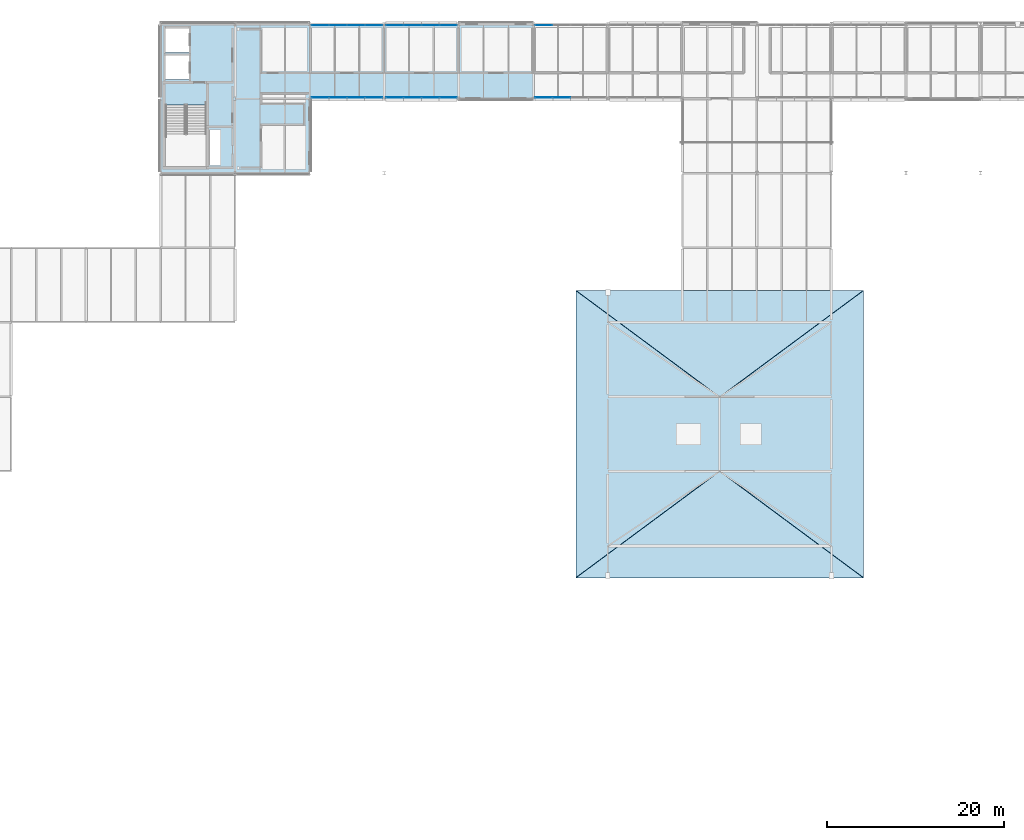
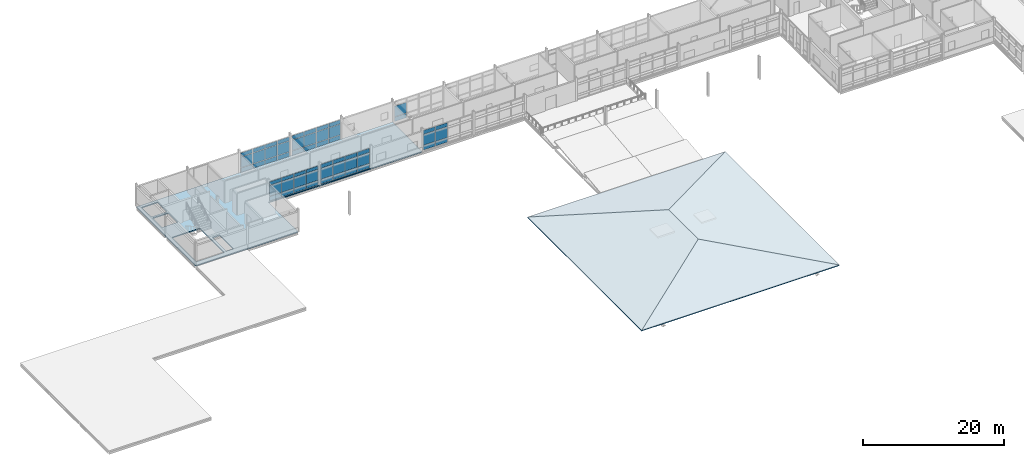
# One storey, part 45 of 66: 56 plates, 5 slabs, 7 elements without a shape of their own.
"""IFC4 building model written with IfcOpenShell, lengths in metres."""

from ifc_helpers import new_model, si_unit, direction, frame, origin, origin_2d, place, context, subcontext, project, spatial, polyline, rectangle, outline, extrude, material, layer, layer_set, type_object, element, aggregate, save


model = new_model("IFC4")

# Units and contexts
model_context = context("Model", 3, precision=1e-05, world=origin(), true_north=direction((0.0, 1.0)))
body_context = subcontext(model_context, "Body", "Model", "MODEL_VIEW")
ifc_project = project(units=[si_unit("LENGTHUNIT", "METRE"), si_unit("AREAUNIT", "SQUARE_METRE"), si_unit("VOLUMEUNIT", "CUBIC_METRE"), si_unit("PLANEANGLEUNIT", "RADIAN"), si_unit("MASSUNIT", "GRAM", prefix="KILO")], contexts=[model_context])

# Site, building, storey
site_placement = place(None, origin())
site = spatial("IfcSite", under=ifc_project, at=site_placement, CompositionType="ELEMENT")
building_placement = place(site_placement, origin())
building = spatial("IfcBuilding", under=site, at=building_placement, Name="Mersafa Astral City Hall", CompositionType="ELEMENT")
storey_placement = place(building_placement, frame((0.0, 0.0, 22.050048828125)))
storey = spatial("IfcBuildingStorey", under=building, at=storey_placement, Name="L05", CompositionType="ELEMENT", Elevation=22.050048828125)

# Curtain wall, plates
ifc_material_1 = material(Name="Anodised bronze aluminium framing", Category="aluminium")
curtain_wall_type_1 = type_object("IfcCurtainWallType", Name="ENV-CW-5", PredefinedType="USERDEFINED", material=ifc_material_1)
curtain_wall_1_placement = place(storey_placement, origin())
curtain_wall_1 = element("IfcCurtainWall", 1, at=curtain_wall_1_placement, inside=storey, type_object=curtain_wall_type_1, Name="L05 Unitised solar curtain wall 232", ObjectType="UNITISED CURTAIN WALL", PredefinedType="USERDEFINED")
ifc_material_2 = material(Name="Solar control low-e double glazing", Category="glass")
ifc_layer_1 = layer(ifc_material_2, 0.028076171875, Name="Solar control low-e double glazing")
ifc_layer_set_1 = layer_set([ifc_layer_1], Name="Solar control low-e double glazing — ENV-CW-PNL-GLZ-1")
plate_type_1 = type_object("IfcPlateType", Name="ENV-CW-PNL-GLZ-1", PredefinedType="CURTAIN_PANEL", material=ifc_layer_set_1)
plate_1_placement = place(storey_placement, frame((85.1865234375, 125.8798828125, 0.05810546875), z_axis=(0.0, 0.0, 1.0), x_axis=(-1.0, 0.0, 0.0)))
plate_1 = element("IfcPlate", 2, at=plate_1_placement, type_object=plate_type_1, Name="CW-5 panel 4.1", PredefinedType="CURTAIN_PANEL", context=body_context, shape_type="SweptSolid", body=[
    extrude(rectangle(XDim=1.928955078125, YDim=0.028076171875, at=origin_2d()), origin(), (0.0, 0.0, 1.0), 0.761962890625),
])
plate_2_placement = place(storey_placement, frame((85.1865234375, 125.8798828125, 0.8798828125), z_axis=(0.0, 0.0, 1.0), x_axis=(-1.0, 0.0, 0.0)))
plate_2 = element("IfcPlate", 3, at=plate_2_placement, type_object=plate_type_1, Name="CW-5 panel 4.2", PredefinedType="CURTAIN_PANEL", context=body_context, shape_type="SweptSolid", body=[
    extrude(rectangle(XDim=1.928955078125, YDim=0.028076171875, at=origin_2d()), origin(), (0.0, 0.0, 1.0), 1.840087890625),
])
aggregate(curtain_wall_1, [plate_1, plate_2])

curtain_wall_type_2 = type_object("IfcCurtainWallType", Name="ENV-CW-3", PredefinedType="USERDEFINED", material=ifc_material_1)
curtain_wall_2_placement = place(storey_placement, origin())
curtain_wall_2 = element("IfcCurtainWall", 4, at=curtain_wall_2_placement, inside=storey, type_object=curtain_wall_type_2, Name="L05 Unitised solar curtain wall 236", ObjectType="UNITISED CURTAIN WALL", PredefinedType="USERDEFINED")
plate_3_placement = place(storey_placement, frame((68.386474609375, 117.719970703125, 0.05810546875), z_axis=(0.0, 0.0, 1.0), x_axis=(1.0, 0.0, 0.0)))
plate_3 = element("IfcPlate", 5, at=plate_3_placement, type_object=plate_type_1, Name="CW-3 panel 1.1", PredefinedType="CURTAIN_PANEL", context=body_context, shape_type="SweptSolid", body=[
    extrude(rectangle(XDim=1.928955078125, YDim=0.028076171875, at=origin_2d()), origin(), (0.0, 0.0, 1.0), 0.761962890625),
])
plate_4_placement = place(storey_placement, frame((68.386474609375, 117.719970703125, 0.8798828125), z_axis=(0.0, 0.0, 1.0), x_axis=(1.0, 0.0, 0.0)))
plate_4 = element("IfcPlate", 6, at=plate_4_placement, type_object=plate_type_1, Name="CW-3 panel 1.2", PredefinedType="CURTAIN_PANEL", context=body_context, shape_type="SweptSolid", body=[
    extrude(rectangle(XDim=1.928955078125, YDim=0.028076171875, at=origin_2d()), origin(), (0.0, 0.0, 1.0), 1.840087890625),
])
plate_5_placement = place(storey_placement, frame((68.386474609375, 117.719970703125, 2.77978515625), z_axis=(0.0, 0.0, 1.0), x_axis=(1.0, 0.0, 0.0)))
plate_5 = element("IfcPlate", 7, at=plate_5_placement, type_object=plate_type_1, Name="CW-3 panel 1.3", PredefinedType="CURTAIN_PANEL", context=body_context, shape_type="SweptSolid", body=[
    extrude(rectangle(XDim=1.928955078125, YDim=0.028076171875, at=origin_2d()), origin(), (0.0, 0.0, 1.0), 0.672119140625),
])
plate_6_placement = place(storey_placement, frame((70.390380859375, 117.719970703125, 0.05810546875), z_axis=(0.0, 0.0, 1.0), x_axis=(1.0, 0.0, 0.0)))
plate_6 = element("IfcPlate", 8, at=plate_6_placement, type_object=plate_type_1, Name="CW-3 panel 2.1", PredefinedType="CURTAIN_PANEL", context=body_context, shape_type="SweptSolid", body=[
    extrude(rectangle(XDim=1.958984375, YDim=0.028076171875, at=origin_2d()), origin(), (0.0, 0.0, 1.0), 0.761962890625),
])
plate_7_placement = place(storey_placement, frame((70.390380859375, 117.719970703125, 0.8798828125), z_axis=(0.0, 0.0, 1.0), x_axis=(1.0, 0.0, 0.0)))
plate_7 = element("IfcPlate", 9, at=plate_7_placement, type_object=plate_type_1, Name="CW-3 panel 2.2", PredefinedType="CURTAIN_PANEL", context=body_context, shape_type="SweptSolid", body=[
    extrude(rectangle(XDim=1.958984375, YDim=0.028076171875, at=origin_2d()), origin(), (0.0, 0.0, 1.0), 1.840087890625),
])
plate_8_placement = place(storey_placement, frame((70.390380859375, 117.719970703125, 2.77978515625), z_axis=(0.0, 0.0, 1.0), x_axis=(1.0, 0.0, 0.0)))
plate_8 = element("IfcPlate", 10, at=plate_8_placement, type_object=plate_type_1, Name="CW-3 panel 2.3", PredefinedType="CURTAIN_PANEL", context=body_context, shape_type="SweptSolid", body=[
    extrude(rectangle(XDim=1.958984375, YDim=0.028076171875, at=origin_2d()), origin(), (0.0, 0.0, 1.0), 0.672119140625),
])
plate_9_placement = place(storey_placement, frame((72.409423828125, 117.719970703125, 0.05810546875), z_axis=(0.0, 0.0, 1.0), x_axis=(1.0, 0.0, 0.0)))
plate_9 = element("IfcPlate", 11, at=plate_9_placement, type_object=plate_type_1, Name="CW-3 panel 3.1", PredefinedType="CURTAIN_PANEL", context=body_context, shape_type="SweptSolid", body=[
    extrude(rectangle(XDim=1.958984375, YDim=0.028076171875, at=origin_2d()), origin(), (0.0, 0.0, 1.0), 0.761962890625),
])
plate_10_placement = place(storey_placement, frame((72.409423828125, 117.719970703125, 0.8798828125), z_axis=(0.0, 0.0, 1.0), x_axis=(1.0, 0.0, 0.0)))
plate_10 = element("IfcPlate", 12, at=plate_10_placement, type_object=plate_type_1, Name="CW-3 panel 3.2", PredefinedType="CURTAIN_PANEL", context=body_context, shape_type="SweptSolid", body=[
    extrude(rectangle(XDim=1.958984375, YDim=0.028076171875, at=origin_2d()), origin(), (0.0, 0.0, 1.0), 1.840087890625),
])
plate_11_placement = place(storey_placement, frame((72.409423828125, 117.719970703125, 2.77978515625), z_axis=(0.0, 0.0, 1.0), x_axis=(1.0, 0.0, 0.0)))
plate_11 = element("IfcPlate", 13, at=plate_11_placement, type_object=plate_type_1, Name="CW-3 panel 3.3", PredefinedType="CURTAIN_PANEL", context=body_context, shape_type="SweptSolid", body=[
    extrude(rectangle(XDim=1.958984375, YDim=0.028076171875, at=origin_2d()), origin(), (0.0, 0.0, 1.0), 0.672119140625),
])
plate_12_placement = place(storey_placement, frame((74.41357421875, 117.719970703125, 0.05810546875), z_axis=(0.0, 0.0, 1.0), x_axis=(1.0, 0.0, 0.0)))
plate_12 = element("IfcPlate", 14, at=plate_12_placement, type_object=plate_type_1, Name="CW-3 panel 4.1", PredefinedType="CURTAIN_PANEL", context=body_context, shape_type="SweptSolid", body=[
    extrude(rectangle(XDim=1.928955078125, YDim=0.028076171875, at=origin_2d()), origin(), (0.0, 0.0, 1.0), 0.761962890625),
])
plate_13_placement = place(storey_placement, frame((74.41357421875, 117.719970703125, 0.8798828125), z_axis=(0.0, 0.0, 1.0), x_axis=(1.0, 0.0, 0.0)))
plate_13 = element("IfcPlate", 15, at=plate_13_placement, type_object=plate_type_1, Name="CW-3 panel 4.2", PredefinedType="CURTAIN_PANEL", context=body_context, shape_type="SweptSolid", body=[
    extrude(rectangle(XDim=1.928955078125, YDim=0.028076171875, at=origin_2d()), origin(), (0.0, 0.0, 1.0), 1.840087890625),
])
plate_14_placement = place(storey_placement, frame((74.41357421875, 117.719970703125, 2.77978515625), z_axis=(0.0, 0.0, 1.0), x_axis=(1.0, 0.0, 0.0)))
plate_14 = element("IfcPlate", 16, at=plate_14_placement, type_object=plate_type_1, Name="CW-3 panel 4.3", PredefinedType="CURTAIN_PANEL", context=body_context, shape_type="SweptSolid", body=[
    extrude(rectangle(XDim=1.928955078125, YDim=0.028076171875, at=origin_2d()), origin(), (0.0, 0.0, 1.0), 0.672119140625),
])
aggregate(curtain_wall_2, [plate_3, plate_4, plate_5, plate_6, plate_7, plate_8, plate_9, plate_10, plate_11, plate_12, plate_13, plate_14])

curtain_wall_type_3 = type_object("IfcCurtainWallType", Name="ENV-CW-6", PredefinedType="USERDEFINED", material=ifc_material_1)
curtain_wall_3_placement = place(storey_placement, origin())
curtain_wall_3 = element("IfcCurtainWall", 17, at=curtain_wall_3_placement, inside=storey, type_object=curtain_wall_type_3, Name="L05 Unitised solar curtain wall 233", ObjectType="UNITISED CURTAIN WALL", PredefinedType="USERDEFINED")
ifc_layer_2 = layer(ifc_material_2, 0.031982421875, Name="Solar control low-e double glazing")
ifc_layer_set_2 = layer_set([ifc_layer_2], Name="Solar control low-e double glazing — ENV-CW-PNL-GLZ-2")
plate_type_2 = type_object("IfcPlateType", Name="ENV-CW-PNL-GLZ-2", PredefinedType="CURTAIN_PANEL", material=ifc_layer_set_2)
plate_15_placement = place(storey_placement, frame((74.41357421875, 125.8798828125, 0.05810546875), z_axis=(0.0, 0.0, 1.0), x_axis=(-1.0, 0.0, 0.0)))
plate_15 = element("IfcPlate", 18, at=plate_15_placement, type_object=plate_type_2, Name="CW-6 panel 1.1", PredefinedType="CURTAIN_PANEL", context=body_context, shape_type="SweptSolid", body=[
    extrude(rectangle(XDim=1.928955078125, YDim=0.031982421875, at=origin_2d()), origin(), (0.0, 0.0, 1.0), 0.761962890625),
])
plate_16_placement = place(storey_placement, frame((74.41357421875, 125.8798828125, 0.8798828125), z_axis=(0.0, 0.0, 1.0), x_axis=(-1.0, 0.0, 0.0)))
plate_16 = element("IfcPlate", 19, at=plate_16_placement, type_object=plate_type_2, Name="CW-6 panel 1.2", PredefinedType="CURTAIN_PANEL", context=body_context, shape_type="SweptSolid", body=[
    extrude(rectangle(XDim=1.928955078125, YDim=0.031982421875, at=origin_2d()), origin(), (0.0, 0.0, 1.0), 1.840087890625),
])
plate_17_placement = place(storey_placement, frame((74.41357421875, 125.8798828125, 2.77978515625), z_axis=(0.0, 0.0, 1.0), x_axis=(-1.0, 0.0, 0.0)))
plate_17 = element("IfcPlate", 20, at=plate_17_placement, type_object=plate_type_2, Name="CW-6 panel 1.3", PredefinedType="CURTAIN_PANEL", context=body_context, shape_type="SweptSolid", body=[
    extrude(rectangle(XDim=1.928955078125, YDim=0.031982421875, at=origin_2d()), origin(), (0.0, 0.0, 1.0), 0.701904296875),
])
plate_18_placement = place(storey_placement, frame((72.409423828125, 125.8798828125, 0.05810546875), z_axis=(0.0, 0.0, 1.0), x_axis=(-1.0, 0.0, 0.0)))
plate_18 = element("IfcPlate", 21, at=plate_18_placement, type_object=plate_type_2, Name="CW-6 panel 2.1", PredefinedType="CURTAIN_PANEL", context=body_context, shape_type="SweptSolid", body=[
    extrude(rectangle(XDim=1.958984375, YDim=0.031982421875, at=origin_2d()), origin(), (0.0, 0.0, 1.0), 0.761962890625),
])
plate_19_placement = place(storey_placement, frame((72.409423828125, 125.8798828125, 0.8798828125), z_axis=(0.0, 0.0, 1.0), x_axis=(-1.0, 0.0, 0.0)))
plate_19 = element("IfcPlate", 22, at=plate_19_placement, type_object=plate_type_2, Name="CW-6 panel 2.2", PredefinedType="CURTAIN_PANEL", context=body_context, shape_type="SweptSolid", body=[
    extrude(rectangle(XDim=1.958984375, YDim=0.031982421875, at=origin_2d()), origin(), (0.0, 0.0, 1.0), 1.840087890625),
])
plate_20_placement = place(storey_placement, frame((72.409423828125, 125.8798828125, 2.77978515625), z_axis=(0.0, 0.0, 1.0), x_axis=(-1.0, 0.0, 0.0)))
plate_20 = element("IfcPlate", 23, at=plate_20_placement, type_object=plate_type_2, Name="CW-6 panel 2.3", PredefinedType="CURTAIN_PANEL", context=body_context, shape_type="SweptSolid", body=[
    extrude(rectangle(XDim=1.958984375, YDim=0.031982421875, at=origin_2d()), origin(), (0.0, 0.0, 1.0), 0.701904296875),
])
plate_21_placement = place(storey_placement, frame((70.390380859375, 125.8798828125, 0.05810546875), z_axis=(0.0, 0.0, 1.0), x_axis=(-1.0, 0.0, 0.0)))
plate_21 = element("IfcPlate", 24, at=plate_21_placement, type_object=plate_type_2, Name="CW-6 panel 3.1", PredefinedType="CURTAIN_PANEL", context=body_context, shape_type="SweptSolid", body=[
    extrude(rectangle(XDim=1.958984375, YDim=0.031982421875, at=origin_2d()), origin(), (0.0, 0.0, 1.0), 0.761962890625),
])
plate_22_placement = place(storey_placement, frame((70.390380859375, 125.8798828125, 0.8798828125), z_axis=(0.0, 0.0, 1.0), x_axis=(-1.0, 0.0, 0.0)))
plate_22 = element("IfcPlate", 25, at=plate_22_placement, type_object=plate_type_2, Name="CW-6 panel 3.2", PredefinedType="CURTAIN_PANEL", context=body_context, shape_type="SweptSolid", body=[
    extrude(rectangle(XDim=1.958984375, YDim=0.031982421875, at=origin_2d()), origin(), (0.0, 0.0, 1.0), 1.840087890625),
])
plate_23_placement = place(storey_placement, frame((70.390380859375, 125.8798828125, 2.77978515625), z_axis=(0.0, 0.0, 1.0), x_axis=(-1.0, 0.0, 0.0)))
plate_23 = element("IfcPlate", 26, at=plate_23_placement, type_object=plate_type_2, Name="CW-6 panel 3.3", PredefinedType="CURTAIN_PANEL", context=body_context, shape_type="SweptSolid", body=[
    extrude(rectangle(XDim=1.958984375, YDim=0.031982421875, at=origin_2d()), origin(), (0.0, 0.0, 1.0), 0.701904296875),
])
plate_24_placement = place(storey_placement, frame((68.386474609375, 125.8798828125, 0.05810546875), z_axis=(0.0, 0.0, 1.0), x_axis=(-1.0, 0.0, 0.0)))
plate_24 = element("IfcPlate", 27, at=plate_24_placement, type_object=plate_type_2, Name="CW-6 panel 4.1", PredefinedType="CURTAIN_PANEL", context=body_context, shape_type="SweptSolid", body=[
    extrude(rectangle(XDim=1.928955078125, YDim=0.031982421875, at=origin_2d()), origin(), (0.0, 0.0, 1.0), 0.761962890625),
])
plate_25_placement = place(storey_placement, frame((68.386474609375, 125.8798828125, 0.8798828125), z_axis=(0.0, 0.0, 1.0), x_axis=(-1.0, 0.0, 0.0)))
plate_25 = element("IfcPlate", 28, at=plate_25_placement, type_object=plate_type_2, Name="CW-6 panel 4.2", PredefinedType="CURTAIN_PANEL", context=body_context, shape_type="SweptSolid", body=[
    extrude(rectangle(XDim=1.928955078125, YDim=0.031982421875, at=origin_2d()), origin(), (0.0, 0.0, 1.0), 1.840087890625),
])
plate_26_placement = place(storey_placement, frame((68.386474609375, 125.8798828125, 2.77978515625), z_axis=(0.0, 0.0, 1.0), x_axis=(-1.0, 0.0, 0.0)))
plate_26 = element("IfcPlate", 29, at=plate_26_placement, type_object=plate_type_2, Name="CW-6 panel 4.3", PredefinedType="CURTAIN_PANEL", context=body_context, shape_type="SweptSolid", body=[
    extrude(rectangle(XDim=1.928955078125, YDim=0.031982421875, at=origin_2d()), origin(), (0.0, 0.0, 1.0), 0.701904296875),
])
aggregate(curtain_wall_3, [plate_15, plate_16, plate_17, plate_18, plate_19, plate_20, plate_21, plate_22, plate_23, plate_24, plate_25, plate_26])

curtain_wall_type_4 = type_object("IfcCurtainWallType", Name="ENV-CW-4", PredefinedType="USERDEFINED", material=ifc_material_1)
curtain_wall_4_placement = place(storey_placement, origin())
curtain_wall_4 = element("IfcCurtainWall", 30, at=curtain_wall_4_placement, inside=storey, type_object=curtain_wall_type_4, Name="L05 Unitised solar curtain wall 237", ObjectType="UNITISED CURTAIN WALL", PredefinedType="USERDEFINED")
plate_27_placement = place(storey_placement, frame((85.1865234375, 117.719970703125, 0.05810546875), z_axis=(0.0, 0.0, 1.0), x_axis=(1.0, 0.0, 0.0)))
plate_27 = element("IfcPlate", 31, at=plate_27_placement, type_object=plate_type_2, Name="CW-4 panel 1.1", PredefinedType="CURTAIN_PANEL", context=body_context, shape_type="SweptSolid", body=[
    extrude(rectangle(XDim=1.928955078125, YDim=0.031982421875, at=origin_2d()), origin(), (0.0, 0.0, 1.0), 0.761962890625),
])
plate_28_placement = place(storey_placement, frame((85.1865234375, 117.719970703125, 0.8798828125), z_axis=(0.0, 0.0, 1.0), x_axis=(1.0, 0.0, 0.0)))
plate_28 = element("IfcPlate", 32, at=plate_28_placement, type_object=plate_type_2, Name="CW-4 panel 1.2", PredefinedType="CURTAIN_PANEL", context=body_context, shape_type="SweptSolid", body=[
    extrude(rectangle(XDim=1.928955078125, YDim=0.031982421875, at=origin_2d()), origin(), (0.0, 0.0, 1.0), 1.840087890625),
])
plate_29_placement = place(storey_placement, frame((85.1865234375, 117.719970703125, 2.77978515625), z_axis=(0.0, 0.0, 1.0), x_axis=(1.0, 0.0, 0.0)))
plate_29 = element("IfcPlate", 33, at=plate_29_placement, type_object=plate_type_2, Name="CW-4 panel 1.3", PredefinedType="CURTAIN_PANEL", context=body_context, shape_type="SweptSolid", body=[
    extrude(rectangle(XDim=1.928955078125, YDim=0.031982421875, at=origin_2d()), origin(), (0.0, 0.0, 1.0), 0.672119140625),
])
plate_30_placement = place(storey_placement, frame((87.1904296875, 117.719970703125, 0.05810546875), z_axis=(0.0, 0.0, 1.0), x_axis=(1.0, 0.0, 0.0)))
plate_30 = element("IfcPlate", 34, at=plate_30_placement, type_object=plate_type_2, Name="CW-4 panel 2.1", PredefinedType="CURTAIN_PANEL", context=body_context, shape_type="SweptSolid", body=[
    extrude(rectangle(XDim=1.958984375, YDim=0.031982421875, at=origin_2d()), origin(), (0.0, 0.0, 1.0), 0.761962890625),
])
plate_31_placement = place(storey_placement, frame((87.1904296875, 117.719970703125, 0.8798828125), z_axis=(0.0, 0.0, 1.0), x_axis=(1.0, 0.0, 0.0)))
plate_31 = element("IfcPlate", 35, at=plate_31_placement, type_object=plate_type_2, Name="CW-4 panel 2.2", PredefinedType="CURTAIN_PANEL", context=body_context, shape_type="SweptSolid", body=[
    extrude(rectangle(XDim=1.958984375, YDim=0.031982421875, at=origin_2d()), origin(), (0.0, 0.0, 1.0), 1.840087890625),
])
plate_32_placement = place(storey_placement, frame((87.1904296875, 117.719970703125, 2.77978515625), z_axis=(0.0, 0.0, 1.0), x_axis=(1.0, 0.0, 0.0)))
plate_32 = element("IfcPlate", 36, at=plate_32_placement, type_object=plate_type_2, Name="CW-4 panel 2.3", PredefinedType="CURTAIN_PANEL", context=body_context, shape_type="SweptSolid", body=[
    extrude(rectangle(XDim=1.958984375, YDim=0.031982421875, at=origin_2d()), origin(), (0.0, 0.0, 1.0), 0.672119140625),
])
aggregate(curtain_wall_4, [plate_27, plate_28, plate_29, plate_30, plate_31, plate_32])

curtain_wall_type_5 = type_object("IfcCurtainWallType", Name="ENV-CW-1", PredefinedType="USERDEFINED", material=ifc_material_1)
curtain_wall_5_placement = place(storey_placement, origin())
curtain_wall_5 = element("IfcCurtainWall", 37, at=curtain_wall_5_placement, inside=storey, type_object=curtain_wall_type_5, Name="L05 Unitised solar curtain wall 234", ObjectType="UNITISED CURTAIN WALL", PredefinedType="USERDEFINED")
ifc_layer_3 = layer(ifc_material_2, 0.035888671875, Name="Solar control low-e double glazing")
ifc_layer_set_3 = layer_set([ifc_layer_3], Name="Solar control low-e double glazing — ENV-CW-PNL-GLZ-3")
plate_type_3 = type_object("IfcPlateType", Name="ENV-CW-PNL-GLZ-3", PredefinedType="CURTAIN_PANEL", material=ifc_layer_set_3)
plate_33_placement = place(storey_placement, frame((66.013427734375, 125.8798828125, 0.05810546875), z_axis=(0.0, 0.0, 1.0), x_axis=(-1.0, 0.0, 0.0)))
plate_33 = element("IfcPlate", 38, at=plate_33_placement, type_object=plate_type_3, Name="CW-1 panel 1.1", PredefinedType="CURTAIN_PANEL", context=body_context, shape_type="SweptSolid", body=[
    extrude(rectangle(XDim=1.928955078125, YDim=0.035888671875, at=origin_2d()), origin(), (0.0, 0.0, 1.0), 0.761962890625),
])
plate_34_placement = place(storey_placement, frame((66.013427734375, 125.8798828125, 0.8798828125), z_axis=(0.0, 0.0, 1.0), x_axis=(-1.0, 0.0, 0.0)))
plate_34 = element("IfcPlate", 39, at=plate_34_placement, type_object=plate_type_3, Name="CW-1 panel 1.2", PredefinedType="CURTAIN_PANEL", context=body_context, shape_type="SweptSolid", body=[
    extrude(rectangle(XDim=1.928955078125, YDim=0.035888671875, at=origin_2d()), origin(), (0.0, 0.0, 1.0), 1.840087890625),
])
plate_35_placement = place(storey_placement, frame((66.013427734375, 125.8798828125, 2.77978515625), z_axis=(0.0, 0.0, 1.0), x_axis=(-1.0, 0.0, 0.0)))
plate_35 = element("IfcPlate", 40, at=plate_35_placement, type_object=plate_type_3, Name="CW-1 panel 1.3", PredefinedType="CURTAIN_PANEL", context=body_context, shape_type="SweptSolid", body=[
    extrude(rectangle(XDim=1.928955078125, YDim=0.035888671875, at=origin_2d()), origin(), (0.0, 0.0, 1.0), 0.672119140625),
])
plate_36_placement = place(storey_placement, frame((64.009521484375, 125.8798828125, 0.05810546875), z_axis=(0.0, 0.0, 1.0), x_axis=(-1.0, 0.0, 0.0)))
plate_36 = element("IfcPlate", 41, at=plate_36_placement, type_object=plate_type_3, Name="CW-1 panel 2.1", PredefinedType="CURTAIN_PANEL", context=body_context, shape_type="SweptSolid", body=[
    extrude(rectangle(XDim=1.958984375, YDim=0.035888671875, at=origin_2d()), origin(), (0.0, 0.0, 1.0), 0.761962890625),
])
plate_37_placement = place(storey_placement, frame((64.009521484375, 125.8798828125, 0.8798828125), z_axis=(0.0, 0.0, 1.0), x_axis=(-1.0, 0.0, 0.0)))
plate_37 = element("IfcPlate", 42, at=plate_37_placement, type_object=plate_type_3, Name="CW-1 panel 2.2", PredefinedType="CURTAIN_PANEL", context=body_context, shape_type="SweptSolid", body=[
    extrude(rectangle(XDim=1.958984375, YDim=0.035888671875, at=origin_2d()), origin(), (0.0, 0.0, 1.0), 1.840087890625),
])
plate_38_placement = place(storey_placement, frame((64.009521484375, 125.8798828125, 2.77978515625), z_axis=(0.0, 0.0, 1.0), x_axis=(-1.0, 0.0, 0.0)))
plate_38 = element("IfcPlate", 43, at=plate_38_placement, type_object=plate_type_3, Name="CW-1 panel 2.3", PredefinedType="CURTAIN_PANEL", context=body_context, shape_type="SweptSolid", body=[
    extrude(rectangle(XDim=1.958984375, YDim=0.035888671875, at=origin_2d()), origin(), (0.0, 0.0, 1.0), 0.672119140625),
])
plate_39_placement = place(storey_placement, frame((61.990478515625, 125.8798828125, 0.05810546875), z_axis=(0.0, 0.0, 1.0), x_axis=(-1.0, 0.0, 0.0)))
plate_39 = element("IfcPlate", 44, at=plate_39_placement, type_object=plate_type_3, Name="CW-1 panel 3.1", PredefinedType="CURTAIN_PANEL", context=body_context, shape_type="SweptSolid", body=[
    extrude(rectangle(XDim=1.958984375, YDim=0.035888671875, at=origin_2d()), origin(), (0.0, 0.0, 1.0), 0.761962890625),
])
plate_40_placement = place(storey_placement, frame((61.990478515625, 125.8798828125, 0.8798828125), z_axis=(0.0, 0.0, 1.0), x_axis=(-1.0, 0.0, 0.0)))
plate_40 = element("IfcPlate", 45, at=plate_40_placement, type_object=plate_type_3, Name="CW-1 panel 3.2", PredefinedType="CURTAIN_PANEL", context=body_context, shape_type="SweptSolid", body=[
    extrude(rectangle(XDim=1.958984375, YDim=0.035888671875, at=origin_2d()), origin(), (0.0, 0.0, 1.0), 1.840087890625),
])
plate_41_placement = place(storey_placement, frame((61.990478515625, 125.8798828125, 2.77978515625), z_axis=(0.0, 0.0, 1.0), x_axis=(-1.0, 0.0, 0.0)))
plate_41 = element("IfcPlate", 46, at=plate_41_placement, type_object=plate_type_3, Name="CW-1 panel 3.3", PredefinedType="CURTAIN_PANEL", context=body_context, shape_type="SweptSolid", body=[
    extrude(rectangle(XDim=1.958984375, YDim=0.035888671875, at=origin_2d()), origin(), (0.0, 0.0, 1.0), 0.672119140625),
])
plate_42_placement = place(storey_placement, frame((59.986572265625, 125.8798828125, 0.05810546875), z_axis=(0.0, 0.0, 1.0), x_axis=(-1.0, 0.0, 0.0)))
plate_42 = element("IfcPlate", 47, at=plate_42_placement, type_object=plate_type_3, Name="CW-1 panel 4.1", PredefinedType="CURTAIN_PANEL", context=body_context, shape_type="SweptSolid", body=[
    extrude(rectangle(XDim=1.928955078125, YDim=0.035888671875, at=origin_2d()), origin(), (0.0, 0.0, 1.0), 0.761962890625),
])
plate_43_placement = place(storey_placement, frame((59.986572265625, 125.8798828125, 0.8798828125), z_axis=(0.0, 0.0, 1.0), x_axis=(-1.0, 0.0, 0.0)))
plate_43 = element("IfcPlate", 48, at=plate_43_placement, type_object=plate_type_3, Name="CW-1 panel 4.2", PredefinedType="CURTAIN_PANEL", context=body_context, shape_type="SweptSolid", body=[
    extrude(rectangle(XDim=1.928955078125, YDim=0.035888671875, at=origin_2d()), origin(), (0.0, 0.0, 1.0), 1.840087890625),
])
plate_44_placement = place(storey_placement, frame((59.986572265625, 125.8798828125, 2.77978515625), z_axis=(0.0, 0.0, 1.0), x_axis=(-1.0, 0.0, 0.0)))
plate_44 = element("IfcPlate", 49, at=plate_44_placement, type_object=plate_type_3, Name="CW-1 panel 4.3", PredefinedType="CURTAIN_PANEL", context=body_context, shape_type="SweptSolid", body=[
    extrude(rectangle(XDim=1.928955078125, YDim=0.035888671875, at=origin_2d()), origin(), (0.0, 0.0, 1.0), 0.672119140625),
])
aggregate(curtain_wall_5, [plate_33, plate_34, plate_35, plate_36, plate_37, plate_38, plate_39, plate_40, plate_41, plate_42, plate_43, plate_44])

curtain_wall_type_6 = type_object("IfcCurtainWallType", Name="ENV-CW-2", PredefinedType="USERDEFINED", material=ifc_material_1)
curtain_wall_6_placement = place(storey_placement, origin())
curtain_wall_6 = element("IfcCurtainWall", 50, at=curtain_wall_6_placement, inside=storey, type_object=curtain_wall_type_6, Name="L05 Unitised solar curtain wall 235", ObjectType="UNITISED CURTAIN WALL", PredefinedType="USERDEFINED")
ifc_layer_4 = layer(ifc_material_2, 0.0400390625, Name="Solar control low-e double glazing")
ifc_layer_set_4 = layer_set([ifc_layer_4], Name="Solar control low-e double glazing — ENV-CW-PNL-GLZ-4")
plate_type_4 = type_object("IfcPlateType", Name="ENV-CW-PNL-GLZ-4", PredefinedType="CURTAIN_PANEL", material=ifc_layer_set_4)
plate_45_placement = place(storey_placement, frame((59.986572265625, 117.719970703125, 0.05810546875), z_axis=(0.0, 0.0, 1.0), x_axis=(1.0, 0.0, 0.0)))
plate_45 = element("IfcPlate", 51, at=plate_45_placement, type_object=plate_type_4, Name="CW-2 panel 1.1", PredefinedType="CURTAIN_PANEL", context=body_context, shape_type="SweptSolid", body=[
    extrude(rectangle(XDim=1.928955078125, YDim=0.0400390625, at=origin_2d()), origin(), (0.0, 0.0, 1.0), 0.761962890625),
])
plate_46_placement = place(storey_placement, frame((59.986572265625, 117.719970703125, 0.8798828125), z_axis=(0.0, 0.0, 1.0), x_axis=(1.0, 0.0, 0.0)))
plate_46 = element("IfcPlate", 52, at=plate_46_placement, type_object=plate_type_4, Name="CW-2 panel 1.2", PredefinedType="CURTAIN_PANEL", context=body_context, shape_type="SweptSolid", body=[
    extrude(rectangle(XDim=1.928955078125, YDim=0.0400390625, at=origin_2d()), origin(), (0.0, 0.0, 1.0), 1.840087890625),
])
plate_47_placement = place(storey_placement, frame((59.986572265625, 117.719970703125, 2.77978515625), z_axis=(0.0, 0.0, 1.0), x_axis=(1.0, 0.0, 0.0)))
plate_47 = element("IfcPlate", 53, at=plate_47_placement, type_object=plate_type_4, Name="CW-2 panel 1.3", PredefinedType="CURTAIN_PANEL", context=body_context, shape_type="SweptSolid", body=[
    extrude(rectangle(XDim=1.928955078125, YDim=0.0400390625, at=origin_2d()), origin(), (0.0, 0.0, 1.0), 0.592041015625),
])
plate_48_placement = place(storey_placement, frame((61.990478515625, 117.719970703125, 0.05810546875), z_axis=(0.0, 0.0, 1.0), x_axis=(1.0, 0.0, 0.0)))
plate_48 = element("IfcPlate", 54, at=plate_48_placement, type_object=plate_type_4, Name="CW-2 panel 2.1", PredefinedType="CURTAIN_PANEL", context=body_context, shape_type="SweptSolid", body=[
    extrude(rectangle(XDim=1.958984375, YDim=0.0400390625, at=origin_2d()), origin(), (0.0, 0.0, 1.0), 0.761962890625),
])
plate_49_placement = place(storey_placement, frame((61.990478515625, 117.719970703125, 0.8798828125), z_axis=(0.0, 0.0, 1.0), x_axis=(1.0, 0.0, 0.0)))
plate_49 = element("IfcPlate", 55, at=plate_49_placement, type_object=plate_type_4, Name="CW-2 panel 2.2", PredefinedType="CURTAIN_PANEL", context=body_context, shape_type="SweptSolid", body=[
    extrude(rectangle(XDim=1.958984375, YDim=0.0400390625, at=origin_2d()), origin(), (0.0, 0.0, 1.0), 1.840087890625),
])
plate_50_placement = place(storey_placement, frame((61.990478515625, 117.719970703125, 2.77978515625), z_axis=(0.0, 0.0, 1.0), x_axis=(1.0, 0.0, 0.0)))
plate_50 = element("IfcPlate", 56, at=plate_50_placement, type_object=plate_type_4, Name="CW-2 panel 2.3", PredefinedType="CURTAIN_PANEL", context=body_context, shape_type="SweptSolid", body=[
    extrude(rectangle(XDim=1.958984375, YDim=0.0400390625, at=origin_2d()), origin(), (0.0, 0.0, 1.0), 0.592041015625),
])
plate_51_placement = place(storey_placement, frame((64.009521484375, 117.719970703125, 0.05810546875), z_axis=(0.0, 0.0, 1.0), x_axis=(1.0, 0.0, 0.0)))
plate_51 = element("IfcPlate", 57, at=plate_51_placement, type_object=plate_type_4, Name="CW-2 panel 3.1", PredefinedType="CURTAIN_PANEL", context=body_context, shape_type="SweptSolid", body=[
    extrude(rectangle(XDim=1.958984375, YDim=0.0400390625, at=origin_2d()), origin(), (0.0, 0.0, 1.0), 0.761962890625),
])
plate_52_placement = place(storey_placement, frame((64.009521484375, 117.719970703125, 0.8798828125), z_axis=(0.0, 0.0, 1.0), x_axis=(1.0, 0.0, 0.0)))
plate_52 = element("IfcPlate", 58, at=plate_52_placement, type_object=plate_type_4, Name="CW-2 panel 3.2", PredefinedType="CURTAIN_PANEL", context=body_context, shape_type="SweptSolid", body=[
    extrude(rectangle(XDim=1.958984375, YDim=0.0400390625, at=origin_2d()), origin(), (0.0, 0.0, 1.0), 1.840087890625),
])
plate_53_placement = place(storey_placement, frame((64.009521484375, 117.719970703125, 2.77978515625), z_axis=(0.0, 0.0, 1.0), x_axis=(1.0, 0.0, 0.0)))
plate_53 = element("IfcPlate", 59, at=plate_53_placement, type_object=plate_type_4, Name="CW-2 panel 3.3", PredefinedType="CURTAIN_PANEL", context=body_context, shape_type="SweptSolid", body=[
    extrude(rectangle(XDim=1.958984375, YDim=0.0400390625, at=origin_2d()), origin(), (0.0, 0.0, 1.0), 0.592041015625),
])
plate_54_placement = place(storey_placement, frame((66.013427734375, 117.719970703125, 0.05810546875), z_axis=(0.0, 0.0, 1.0), x_axis=(1.0, 0.0, 0.0)))
plate_54 = element("IfcPlate", 60, at=plate_54_placement, type_object=plate_type_4, Name="CW-2 panel 4.1", PredefinedType="CURTAIN_PANEL", context=body_context, shape_type="SweptSolid", body=[
    extrude(rectangle(XDim=1.928955078125, YDim=0.0400390625, at=origin_2d()), origin(), (0.0, 0.0, 1.0), 0.761962890625),
])
plate_55_placement = place(storey_placement, frame((66.013427734375, 117.719970703125, 0.8798828125), z_axis=(0.0, 0.0, 1.0), x_axis=(1.0, 0.0, 0.0)))
plate_55 = element("IfcPlate", 61, at=plate_55_placement, type_object=plate_type_4, Name="CW-2 panel 4.2", PredefinedType="CURTAIN_PANEL", context=body_context, shape_type="SweptSolid", body=[
    extrude(rectangle(XDim=1.928955078125, YDim=0.0400390625, at=origin_2d()), origin(), (0.0, 0.0, 1.0), 1.840087890625),
])
plate_56_placement = place(storey_placement, frame((66.013427734375, 117.719970703125, 2.77978515625), z_axis=(0.0, 0.0, 1.0), x_axis=(1.0, 0.0, 0.0)))
plate_56 = element("IfcPlate", 62, at=plate_56_placement, type_object=plate_type_4, Name="CW-2 panel 4.3", PredefinedType="CURTAIN_PANEL", context=body_context, shape_type="SweptSolid", body=[
    extrude(rectangle(XDim=1.928955078125, YDim=0.0400390625, at=origin_2d()), origin(), (0.0, 0.0, 1.0), 0.592041015625),
])
aggregate(curtain_wall_6, [plate_45, plate_46, plate_47, plate_48, plate_49, plate_50, plate_51, plate_52, plate_53, plate_54, plate_55, plate_56])

# Slab
ifc_material_3 = material(Name="Concrete C35/45", Category="concrete")
ifc_layer_5 = layer(ifc_material_3, 0.179931640625, Name="Concrete C35/45")
ifc_layer_set_5 = layer_set([ifc_layer_5], Name="Concrete C35/45 — STR-SLAB-FLR-180")
slab_type_1 = type_object("IfcSlabType", Name="STR-SLAB-FLR-180", PredefinedType="FLOOR", material=ifc_layer_set_5)
slab_1_placement = place(storey_placement, frame((0.0, 0.0, -0.179931640625)))
element("IfcSlab", 63, at=slab_1_placement, inside=storey, type_object=slab_type_1, Name="L05 V4 structural floor slab 1", PredefinedType="FLOOR", context=body_context, shape_type="SweptSolid", body=[
    extrude(outline(polyline([(42.0, 126.0), (50.39990234375, 126.0), (58.800048828125, 126.0), (67.199951171875, 126.0), (75.60009765625, 126.0), (84.0, 126.0), (84.0, 117.60009765625), (75.60009765625, 117.60009765625), (67.199951171875, 117.60009765625), (58.800048828125, 117.60009765625), (58.800048828125, 109.199951171875), (50.39990234375, 109.199951171875), (42.0, 109.199951171875), (42.0, 117.60009765625), (42.0, 126.0)]), holes=[polyline([(47.550048828125, 114.050048828125), (47.550048828125, 110.14990234375), (48.72998046875, 110.14990234375), (48.72998046875, 114.050048828125), (47.550048828125, 114.050048828125)]), polyline([(42.580078125, 109.949951171875), (47.139892578125, 109.949951171875), (47.139892578125, 116.89990234375), (42.580078125, 116.89990234375), (42.580078125, 109.949951171875)]), polyline([(45.179931640625, 122.449951171875), (42.580078125, 122.449951171875), (42.580078125, 119.75), (45.179931640625, 119.75), (45.179931640625, 122.449951171875)]), polyline([(45.179931640625, 125.5), (42.580078125, 125.5), (42.580078125, 122.800048828125), (45.179931640625, 122.800048828125), (45.179931640625, 125.5)])]), origin(), (0.0, 0.0, 1.0), 0.179931640625),
])

# Roof, slabs
ifc_material_4 = material(Name="Egyptian ceramic terracotta roof tile", Category="masonry")
roof_type = type_object("IfcRoofType", Name="ARCH-ROOF-HIP", PredefinedType="HIP_ROOF", material=ifc_material_4)
roof_placement = place(storey_placement, origin())
roof = element("IfcRoof", 64, at=roof_placement, inside=storey, type_object=roof_type, Name="L05 Warm terracotta hipped roof ROOF-T4-V2", PredefinedType="HIP_ROOF")
ifc_material_5 = material(Name="Concrete C40/50", Category="concrete")
ifc_layer_6 = layer(ifc_material_5, 0.159912109375, Name="Concrete C40/50")
ifc_layer_set_6 = layer_set([ifc_layer_6], Name="Concrete C40/50 — STR-SLAB-ROOF-HIP-160")
slab_type_2 = type_object("IfcSlabType", Name="STR-SLAB-ROOF-HIP-160", PredefinedType="ROOF", material=ifc_layer_set_6)
slab_2_placement = place(storey_placement, frame((88.800048828125, 63.60009765625, 0.0), z_axis=(0.0, -0.23343879534, 0.972371497335), x_axis=(1.0, 0.0, 0.0)))
slab_2 = element("IfcSlab", 65, at=slab_2_placement, type_object=slab_type_2, Name="L05 Sloped hipped roof slab ROOF-T4-V2 S", PredefinedType="ROOF", context=body_context, shape_type="SweptSolid", body=[
    extrude(outline(polyline([(0.0, 0.0), (32.39990234375, 0.0), (16.199951171875, 12.340962310068264), (0.0, 0.0)])), origin(), (0.0, 0.0, -1.0), 0.159912109375),
])
slab_3_placement = place(storey_placement, frame((121.199951171875, 96.0, 0.0), z_axis=(0.0, 0.23343879534, 0.972371497335), x_axis=(-1.0, 0.0, 0.0)))
slab_3 = element("IfcSlab", 66, at=slab_3_placement, type_object=slab_type_2, Name="L05 Sloped hipped roof slab ROOF-T4-V2 N", PredefinedType="ROOF", context=body_context, shape_type="SweptSolid", body=[
    extrude(outline(polyline([(0.0, 0.0), (32.39990234375, 0.0), (16.199951171875, 12.340962310068264), (0.0, 0.0)])), origin(), (0.0, 0.0, -1.0), 0.159912109375),
])
slab_4_placement = place(storey_placement, frame((88.800048828125, 96.0, 0.0), z_axis=(-0.175084474359, 0.0, 0.984553414924), x_axis=(0.0, -1.0, 0.0)))
slab_4 = element("IfcSlab", 67, at=slab_4_placement, type_object=slab_type_2, Name="L05 Sloped hipped roof slab ROOF-T4-V2 W", PredefinedType="ROOF", context=body_context, shape_type="SweptSolid", body=[
    extrude(outline(polyline([(0.0, 0.0), (32.39990234375, 0.0), (20.39990234375, 16.454110997245024), (12.0, 16.454110997245024), (0.0, 0.0)])), origin(), (0.0, 0.0, -1.0), 0.159912109375),
])
slab_5_placement = place(storey_placement, frame((121.199951171875, 63.60009765625, 0.0), z_axis=(0.175084474359, 0.0, 0.984553414924), x_axis=(0.0, 1.0, 0.0)))
slab_5 = element("IfcSlab", 68, at=slab_5_placement, type_object=slab_type_2, Name="L05 Sloped hipped roof slab ROOF-T4-V2 E", PredefinedType="ROOF", context=body_context, shape_type="SweptSolid", body=[
    extrude(outline(polyline([(0.0, 0.0), (32.39990234375, 0.0), (20.39990234375, 16.454110997245024), (12.0, 16.454110997245024), (0.0, 0.0)])), origin(), (0.0, 0.0, -1.0), 0.159912109375),
])
aggregate(roof, [slab_2, slab_3, slab_4, slab_5])

save(model, "model.ifc")
